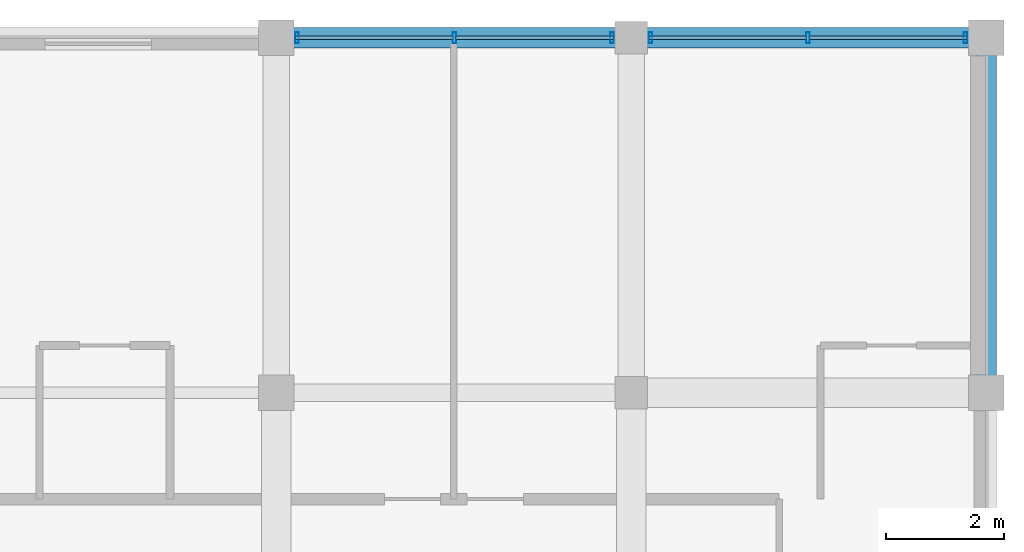
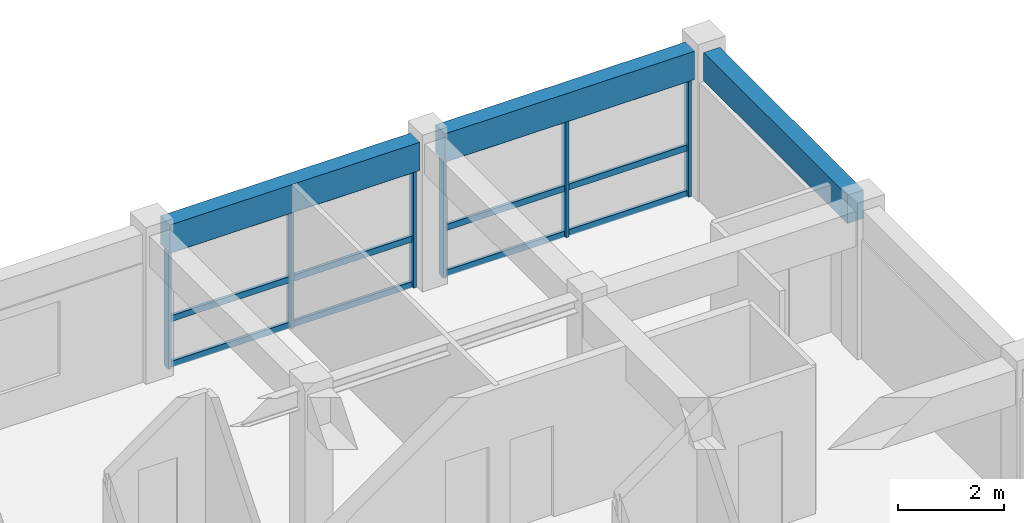
# One storey, part 4 of 25: 18 members, 3 beams, 2 elements without a shape of their own.
"""IFC4 building model written with IfcOpenShell, lengths in metres."""

from ifc_helpers import new_model, si_unit, direction, frame, origin, origin_2d, place, context, subcontext, project, spatial, rectangle, hollow_rectangle, extrude, material, material_profile, profile_set, type_object, element, aggregate, save


model = new_model("IFC4")

# Units and contexts
model_context = context("Model", 3, precision=1e-05, world=origin(), true_north=direction((0.0, 1.0)))
body_context = subcontext(model_context, "Body", "Model", "MODEL_VIEW")
ifc_project = project(units=[si_unit("LENGTHUNIT", "METRE"), si_unit("AREAUNIT", "SQUARE_METRE"), si_unit("VOLUMEUNIT", "CUBIC_METRE"), si_unit("PLANEANGLEUNIT", "RADIAN"), si_unit("MASSUNIT", "GRAM", prefix="KILO"), si_unit("THERMODYNAMICTEMPERATUREUNIT", "KELVIN"), si_unit("POWERUNIT", "WATT")], contexts=[model_context])

# Site, building, storey
site_placement = place(None, origin())
site = spatial("IfcSite", under=ifc_project, at=site_placement, CompositionType="ELEMENT")
building_placement = place(site_placement, origin())
building = spatial("IfcBuilding", under=site, at=building_placement, Name="Phaisarnlok Congress Hotel", CompositionType="ELEMENT")
storey_placement = place(building_placement, frame((0.0, 0.0, 24.60009765625)))
storey = spatial("IfcBuildingStorey", under=building, at=storey_placement, Name="L05", CompositionType="ELEMENT", Elevation=24.60009765625)

# Curtain wall, members
ifc_material_1 = material(Name="Thermally Broken Unitised Aluminium & Low-E Glazing", Category="aluminium")
curtain_wall_type = type_object("IfcCurtainWallType", Name="CW-UNIT-38", PredefinedType="NOTDEFINED", material=ifc_material_1)
curtain_wall_1_placement = place(storey_placement, origin())
curtain_wall_1 = element("IfcCurtainWall", 1, at=curtain_wall_1_placement, inside=storey, type_object=curtain_wall_type, Name="Unitised curtain wall CW-38 (L05)", PredefinedType="NOTDEFINED")
ifc_material_2 = material(Name="Anodised Aluminium Alloy 6063-T6", Category="aluminium")
ifc_material_profile_1 = material_profile(ifc_material_2, hollow_rectangle(XDim=0.06494140625, YDim=0.179931640625, WallThickness=0.00390625, at=origin_2d()), Name="ALU-M 65x180x4")
ifc_profile_set_1 = profile_set([ifc_material_profile_1], Name="Anodised Aluminium Alloy 6063-T6")
member_type_1 = type_object("IfcMemberType", Name="CWM-180", PredefinedType="MULLION", material=ifc_profile_set_1)
member_1_placement = place(storey_placement, frame((179.64990234375, 126.0, 0.0), z_axis=(0.0, 0.0, 1.0), x_axis=(-1.0, 0.0, 0.0)))
member_1 = element("IfcMember", 2, at=member_1_placement, type_object=member_type_1, Name="Curtain wall mullion CWM-01", PredefinedType="MULLION", context=body_context, shape_type="SweptSolid", body=[
    extrude(hollow_rectangle(XDim=0.06494140625, YDim=0.179931640625, WallThickness=0.00390625, at=origin_2d()), origin(), (0.0, 0.0, 1.0), 2.72998046875),
])
member_2_placement = place(storey_placement, frame((176.987548828125, 126.0, 0.0), z_axis=(0.0, 0.0, 1.0), x_axis=(-1.0, 0.0, 0.0)))
member_2 = element("IfcMember", 3, at=member_2_placement, type_object=member_type_1, Name="Curtain wall mullion CWM-01", PredefinedType="MULLION", context=body_context, shape_type="SweptSolid", body=[
    extrude(hollow_rectangle(XDim=0.06494140625, YDim=0.179931640625, WallThickness=0.00390625, at=origin_2d()), origin(), (0.0, 0.0, 1.0), 2.72998046875),
])
member_3_placement = place(storey_placement, frame((174.324951171875, 126.0, 0.0), z_axis=(0.0, 0.0, 1.0), x_axis=(-1.0, 0.0, 0.0)))
member_3 = element("IfcMember", 4, at=member_3_placement, type_object=member_type_1, Name="Curtain wall mullion CWM-01", PredefinedType="MULLION", context=body_context, shape_type="SweptSolid", body=[
    extrude(hollow_rectangle(XDim=0.06494140625, YDim=0.179931640625, WallThickness=0.00390625, at=origin_2d()), origin(), (0.0, 0.0, 1.0), 2.72998046875),
])

curtain_wall_2_placement = place(storey_placement, origin())
curtain_wall_2 = element("IfcCurtainWall", 5, at=curtain_wall_2_placement, inside=storey, type_object=curtain_wall_type, Name="Unitised curtain wall CW-38 (L05)", PredefinedType="NOTDEFINED")
member_4_placement = place(storey_placement, frame((173.675048828125, 126.0, 0.0), z_axis=(0.0, 0.0, 1.0), x_axis=(-1.0, 0.0, 0.0)))
member_4 = element("IfcMember", 6, at=member_4_placement, type_object=member_type_1, Name="Curtain wall mullion CWM-01", PredefinedType="MULLION", context=body_context, shape_type="SweptSolid", body=[
    extrude(hollow_rectangle(XDim=0.06494140625, YDim=0.179931640625, WallThickness=0.00390625, at=origin_2d()), origin(), (0.0, 0.0, 1.0), 2.72998046875),
])
member_5_placement = place(storey_placement, frame((171.012451171875, 126.0, 0.0), z_axis=(0.0, 0.0, 1.0), x_axis=(-1.0, 0.0, 0.0)))
member_5 = element("IfcMember", 7, at=member_5_placement, type_object=member_type_1, Name="Curtain wall mullion CWM-01", PredefinedType="MULLION", context=body_context, shape_type="SweptSolid", body=[
    extrude(hollow_rectangle(XDim=0.06494140625, YDim=0.179931640625, WallThickness=0.00390625, at=origin_2d()), origin(), (0.0, 0.0, 1.0), 2.72998046875),
])
member_6_placement = place(storey_placement, frame((168.35009765625, 126.0, 0.0), z_axis=(0.0, 0.0, 1.0), x_axis=(-1.0, 0.0, 0.0)))
member_6 = element("IfcMember", 8, at=member_6_placement, type_object=member_type_1, Name="Curtain wall mullion CWM-01", PredefinedType="MULLION", context=body_context, shape_type="SweptSolid", body=[
    extrude(hollow_rectangle(XDim=0.06494140625, YDim=0.179931640625, WallThickness=0.00390625, at=origin_2d()), origin(), (0.0, 0.0, 1.0), 2.72998046875),
])

# Member
ifc_material_profile_2 = material_profile(ifc_material_2, hollow_rectangle(XDim=0.06494140625, YDim=0.139892578125, WallThickness=0.00390625, at=origin_2d()), Name="ALU-T 65x140x4")
ifc_profile_set_2 = profile_set([ifc_material_profile_2], Name="Anodised Aluminium Alloy 6063-T6")
member_type_2 = type_object("IfcMemberType", Name="CWT-150", PredefinedType="USERDEFINED", material=ifc_profile_set_2)
member_7_placement = place(storey_placement, frame((179.675048828125, 126.0, 0.0498046875), z_axis=(-1.0, 0.0, 0.0), x_axis=(0.0, -1.0, 0.0)))
member_7 = element("IfcMember", 9, at=member_7_placement, type_object=member_type_2, Name="Curtain wall transom CWT-01", ObjectType="TRANSOM", PredefinedType="USERDEFINED", context=body_context, shape_type="SweptSolid", body=[
    extrude(hollow_rectangle(XDim=0.06494140625, YDim=0.139892578125, WallThickness=0.00390625, at=origin_2d()), origin(), (0.0, 0.0, 1.0), 2.672607421875),
])

member_8_placement = place(storey_placement, frame((179.675048828125, 126.0, 1.099853515625), z_axis=(-1.0, 0.0, 0.0), x_axis=(0.0, -1.0, 0.0)))
member_8 = element("IfcMember", 10, at=member_8_placement, type_object=member_type_2, Name="Curtain wall transom CWT-01", ObjectType="TRANSOM", PredefinedType="USERDEFINED", context=body_context, shape_type="SweptSolid", body=[
    extrude(hollow_rectangle(XDim=0.06494140625, YDim=0.139892578125, WallThickness=0.00390625, at=origin_2d()), origin(), (0.0, 0.0, 1.0), 2.672607421875),
])

member_9_placement = place(storey_placement, frame((179.675048828125, 126.0, 2.679931640625), z_axis=(-1.0, 0.0, 0.0), x_axis=(0.0, -1.0, 0.0)))
member_9 = element("IfcMember", 11, at=member_9_placement, type_object=member_type_2, Name="Curtain wall transom CWT-01", ObjectType="TRANSOM", PredefinedType="USERDEFINED", context=body_context, shape_type="SweptSolid", body=[
    extrude(hollow_rectangle(XDim=0.06494140625, YDim=0.139892578125, WallThickness=0.00390625, at=origin_2d()), origin(), (0.0, 0.0, 1.0), 2.672607421875),
])

member_10_placement = place(storey_placement, frame((176.972412109375, 126.0, 0.0498046875), z_axis=(-1.0, 0.0, 0.0), x_axis=(0.0, -1.0, 0.0)))
member_10 = element("IfcMember", 12, at=member_10_placement, type_object=member_type_2, Name="Curtain wall transom CWT-01", ObjectType="TRANSOM", PredefinedType="USERDEFINED", context=body_context, shape_type="SweptSolid", body=[
    extrude(hollow_rectangle(XDim=0.06494140625, YDim=0.139892578125, WallThickness=0.00390625, at=origin_2d()), origin(), (0.0, 0.0, 1.0), 2.67236328125),
])

member_11_placement = place(storey_placement, frame((176.972412109375, 126.0, 1.099853515625), z_axis=(-1.0, 0.0, 0.0), x_axis=(0.0, -1.0, 0.0)))
member_11 = element("IfcMember", 13, at=member_11_placement, type_object=member_type_2, Name="Curtain wall transom CWT-01", ObjectType="TRANSOM", PredefinedType="USERDEFINED", context=body_context, shape_type="SweptSolid", body=[
    extrude(hollow_rectangle(XDim=0.06494140625, YDim=0.139892578125, WallThickness=0.00390625, at=origin_2d()), origin(), (0.0, 0.0, 1.0), 2.67236328125),
])

member_12_placement = place(storey_placement, frame((176.972412109375, 126.0, 2.679931640625), z_axis=(-1.0, 0.0, 0.0), x_axis=(0.0, -1.0, 0.0)))
member_12 = element("IfcMember", 14, at=member_12_placement, type_object=member_type_2, Name="Curtain wall transom CWT-01", ObjectType="TRANSOM", PredefinedType="USERDEFINED", context=body_context, shape_type="SweptSolid", body=[
    extrude(hollow_rectangle(XDim=0.06494140625, YDim=0.139892578125, WallThickness=0.00390625, at=origin_2d()), origin(), (0.0, 0.0, 1.0), 2.67236328125),
])

aggregate(curtain_wall_1, [member_1, member_2, member_3, member_7, member_8, member_9, member_10, member_11, member_12])

member_13_placement = place(storey_placement, frame((173.699951171875, 126.0, 0.0498046875), z_axis=(-1.0, 0.0, 0.0), x_axis=(0.0, -1.0, 0.0)))
member_13 = element("IfcMember", 15, at=member_13_placement, type_object=member_type_2, Name="Curtain wall transom CWT-01", ObjectType="TRANSOM", PredefinedType="USERDEFINED", context=body_context, shape_type="SweptSolid", body=[
    extrude(hollow_rectangle(XDim=0.06494140625, YDim=0.139892578125, WallThickness=0.00390625, at=origin_2d()), origin(), (0.0, 0.0, 1.0), 2.67236328125),
])

member_14_placement = place(storey_placement, frame((173.699951171875, 126.0, 1.099853515625), z_axis=(-1.0, 0.0, 0.0), x_axis=(0.0, -1.0, 0.0)))
member_14 = element("IfcMember", 16, at=member_14_placement, type_object=member_type_2, Name="Curtain wall transom CWT-01", ObjectType="TRANSOM", PredefinedType="USERDEFINED", context=body_context, shape_type="SweptSolid", body=[
    extrude(hollow_rectangle(XDim=0.06494140625, YDim=0.139892578125, WallThickness=0.00390625, at=origin_2d()), origin(), (0.0, 0.0, 1.0), 2.67236328125),
])

member_15_placement = place(storey_placement, frame((173.699951171875, 126.0, 2.679931640625), z_axis=(-1.0, 0.0, 0.0), x_axis=(0.0, -1.0, 0.0)))
member_15 = element("IfcMember", 17, at=member_15_placement, type_object=member_type_2, Name="Curtain wall transom CWT-01", ObjectType="TRANSOM", PredefinedType="USERDEFINED", context=body_context, shape_type="SweptSolid", body=[
    extrude(hollow_rectangle(XDim=0.06494140625, YDim=0.139892578125, WallThickness=0.00390625, at=origin_2d()), origin(), (0.0, 0.0, 1.0), 2.67236328125),
])

member_16_placement = place(storey_placement, frame((170.99755859375, 126.0, 0.0498046875), z_axis=(-1.0, 0.0, 0.0), x_axis=(0.0, -1.0, 0.0)))
member_16 = element("IfcMember", 18, at=member_16_placement, type_object=member_type_2, Name="Curtain wall transom CWT-01", ObjectType="TRANSOM", PredefinedType="USERDEFINED", context=body_context, shape_type="SweptSolid", body=[
    extrude(hollow_rectangle(XDim=0.06494140625, YDim=0.139892578125, WallThickness=0.00390625, at=origin_2d()), origin(), (0.0, 0.0, 1.0), 2.672607421875),
])

member_17_placement = place(storey_placement, frame((170.99755859375, 126.0, 1.099853515625), z_axis=(-1.0, 0.0, 0.0), x_axis=(0.0, -1.0, 0.0)))
member_17 = element("IfcMember", 19, at=member_17_placement, type_object=member_type_2, Name="Curtain wall transom CWT-01", ObjectType="TRANSOM", PredefinedType="USERDEFINED", context=body_context, shape_type="SweptSolid", body=[
    extrude(hollow_rectangle(XDim=0.06494140625, YDim=0.139892578125, WallThickness=0.00390625, at=origin_2d()), origin(), (0.0, 0.0, 1.0), 2.672607421875),
])

member_18_placement = place(storey_placement, frame((170.99755859375, 126.0, 2.679931640625), z_axis=(-1.0, 0.0, 0.0), x_axis=(0.0, -1.0, 0.0)))
member_18 = element("IfcMember", 20, at=member_18_placement, type_object=member_type_2, Name="Curtain wall transom CWT-01", ObjectType="TRANSOM", PredefinedType="USERDEFINED", context=body_context, shape_type="SweptSolid", body=[
    extrude(hollow_rectangle(XDim=0.06494140625, YDim=0.139892578125, WallThickness=0.00390625, at=origin_2d()), origin(), (0.0, 0.0, 1.0), 2.672607421875),
])

aggregate(curtain_wall_2, [member_4, member_5, member_6, member_13, member_14, member_15, member_16, member_17, member_18])

# Beams
ifc_material_3 = material(Name="Concrete C40/50", Category="concrete")
ifc_material_profile_3 = material_profile(ifc_material_3, rectangle(XDim=0.35009765625, YDim=0.64990234375, at=origin_2d()), Name="RC 350x650")
ifc_profile_set_3 = profile_set([ifc_material_profile_3], Name="Concrete C40/50")
beam_type = type_object("IfcBeamType", Name="SP-RC-350x650", PredefinedType="SPANDREL", material=ifc_profile_set_3)
for number, where, z_axis, x_axis, name in (
    (21, (168.294921875, 126.0, 3.054931640625), (1.0, 0.0, 0.0), (0.0, 1.0, 0.0), "Beam SP-01"),
    (22, (174.27001953125, 126.0, 3.054931640625), (1.0, 0.0, 0.0), (0.0, 1.0, 0.0), "Beam SP-01"),
):
    element("IfcBeam", number, at=place(storey_placement, frame(where, z_axis=z_axis, x_axis=x_axis)), inside=storey, type_object=beam_type, Name=name, PredefinedType="SPANDREL", context=body_context, shape_type="SweptSolid", body=[
        extrude(rectangle(XDim=0.35009765625, YDim=0.64990234375, at=origin_2d()), origin(), (0.0, 0.0, 1.0), 5.43505859375),
    ])
beam_placement = place(storey_placement, frame((180.0, 120.294921875, 3.054931640625), z_axis=(0.0, 1.0, 0.0), x_axis=(-1.0, 0.0, 0.0)))
element("IfcBeam", 23, at=beam_placement, inside=storey, type_object=beam_type, Name="Beam SP-01", PredefinedType="SPANDREL", context=body_context, shape_type="SweptSolid", body=[
    extrude(rectangle(XDim=0.35009765625, YDim=0.64990234375, at=origin_2d()), origin(), (0.0, 0.0, 1.0), 5.41015625),
])

save(model, "model.ifc")
